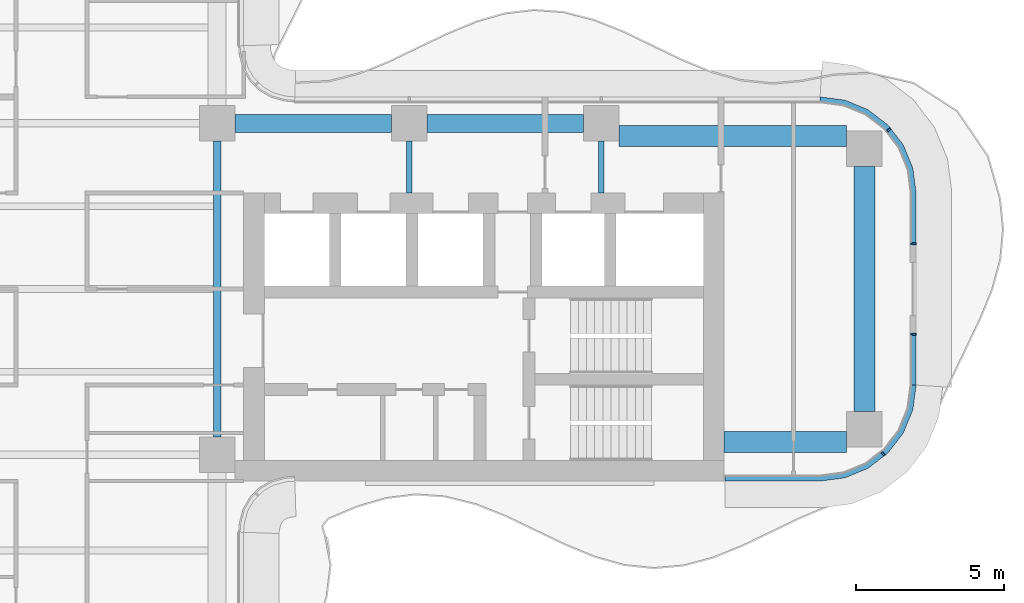
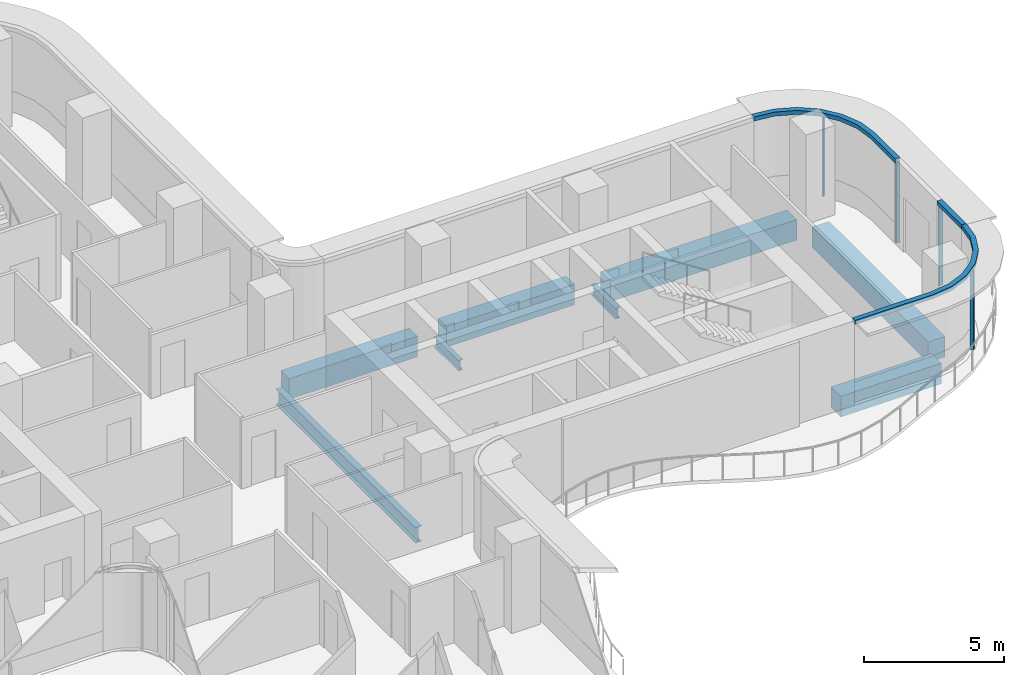
# One storey, part 6 of 17: 8 beams, 7 members, 3 elements without a shape of their own.
"""IFC4 building model written with IfcOpenShell, lengths in metres."""

from ifc_helpers import new_model, si_unit, direction, frame, origin, origin_2d, place, context, subcontext, project, spatial, polyline, rectangle, i_section, outline, extrude, source, transform, mapped, material, layer, layer_set, material_profile, profile_set, type_object, element, aggregate, save


model = new_model("IFC4")

# Units and contexts
model_context = context("Model", 3, precision=1e-05, world=origin(), true_north=direction((0.0, 1.0)))
body_context = subcontext(model_context, "Body", "Model", "MODEL_VIEW")
ifc_project = project(units=[si_unit("LENGTHUNIT", "METRE"), si_unit("AREAUNIT", "SQUARE_METRE"), si_unit("VOLUMEUNIT", "CUBIC_METRE"), si_unit("PLANEANGLEUNIT", "RADIAN"), si_unit("MASSUNIT", "GRAM", prefix="KILO")], contexts=[model_context])

# Site, building, storey
site_placement = place(None, origin())
site = spatial("IfcSite", under=ifc_project, at=site_placement, CompositionType="ELEMENT")
building_placement = place(site_placement, origin())
building = spatial("IfcBuilding", under=site, at=building_placement, Name="Trellis Farm Tower", CompositionType="ELEMENT")
storey_placement = place(building_placement, frame((0.0, 0.0, 181.5)))
storey = spatial("IfcBuildingStorey", under=building, at=storey_placement, Name="L39", CompositionType="ELEMENT", Elevation=181.5)

# Beams
ifc_material_1 = material(Name="Concrete C60/75", Category="concrete")
ifc_material_profile_1 = material_profile(ifc_material_1, rectangle(XDim=0.60009765625, YDim=0.89990234375, at=origin_2d()), Name="RC spandrel beam 600x900 C60/75")
ifc_profile_set_1 = profile_set([ifc_material_profile_1], Name="Concrete C60/75")
beam_type_1 = type_object("IfcBeamType", Name="RC spandrel beam 600x900 C60/75", PredefinedType="SPANDREL", material=ifc_profile_set_1)
shared_shape_1 = source(origin(), body_context, "Body", "SweptSolid", [
    extrude(rectangle(XDim=0.60009765625, YDim=0.89990234375, at=origin_2d()), origin(), (0.0, 0.0, 1.0), 5.300048828125),
])
for number, where, z_axis, x_axis, name in (
    (1, (6.199951171875, 5.60009765625, -0.64990234375), (1.0, 0.0, 0.0), (0.0, 1.0, 0.0), "Girder"),
    (2, (12.699951171875, 5.60009765625, -0.64990234375), (1.0, 0.0, 0.0), (0.0, 1.0, 0.0), "Girder"),
):
    element("IfcBeam", number, at=place(storey_placement, frame(where, z_axis=z_axis, x_axis=x_axis)), inside=storey, type_object=beam_type_1, Name=name, PredefinedType="SPANDREL", context=body_context, shape_type="MappedRepresentation", body=[
        mapped(shared_shape_1, transform((0.0, 0.0, 0.0))),
    ])
ifc_material_2 = material(Name="Steel S355", Category="steel")
ifc_material_profile_2 = material_profile(ifc_material_2, i_section(OverallWidth=0.253662109375, OverallDepth=0.68359375, WebThickness=0.012451171875, FlangeThickness=0.021728515625, FilletRadius=0.01513671875, at=origin_2d()), Name="UB 686x254x140")
ifc_profile_set_2 = profile_set([ifc_material_profile_2], Name="Steel S355")
beam_type_2 = type_object("IfcBeamType", Name="UB 686x254x140", PredefinedType="BEAM", material=ifc_profile_set_2)
shared_shape_2 = source(origin(), body_context, "Body", "SweptSolid", [
    extrude(i_section(OverallWidth=0.253662109375, OverallDepth=0.68359375, WebThickness=0.012451171875, FlangeThickness=0.021728515625, FilletRadius=0.01513671875, at=origin_2d()), origin(), (0.0, 0.0, 1.0), 10.0),
])
beam_1_placement = place(storey_placement, frame((5.60009765625, -5.0, -0.541748046875), z_axis=(0.0, 1.0, 0.0), x_axis=(-1.0, 0.0, 0.0)))
element("IfcBeam", 3, at=beam_1_placement, inside=storey, type_object=beam_type_2, Name="Girder", PredefinedType="BEAM", context=body_context, shape_type="MappedRepresentation", body=[
    mapped(shared_shape_2, transform((0.0, 0.0, 0.0))),
])
ifc_material_profile_3 = material_profile(ifc_material_1, rectangle(XDim=0.699951171875, YDim=0.89990234375, at=origin_2d()), Name="RC spandrel beam 700x900 C60/75")
ifc_profile_set_3 = profile_set([ifc_material_profile_3], Name="Concrete C60/75")
beam_type_3 = type_object("IfcBeamType", Name="RC spandrel beam 700x900 C60/75", PredefinedType="SPANDREL", material=ifc_profile_set_3)
shared_shape_3 = source(origin(), body_context, "Body", "SweptSolid", [
    extrude(rectangle(XDim=0.699951171875, YDim=0.89990234375, at=origin_2d()), origin(), (0.0, 0.0, 1.0), 8.2998046875),
])
beam_2_placement = place(storey_placement, frame((27.5, -4.14990234375, -0.64990234375), z_axis=(0.0, 1.0, 0.0), x_axis=(-1.0, 0.0, 0.0)))
element("IfcBeam", 4, at=beam_2_placement, inside=storey, type_object=beam_type_3, Name="Girder", PredefinedType="SPANDREL", context=body_context, shape_type="MappedRepresentation", body=[
    mapped(shared_shape_3, transform((0.0, 0.0, 0.0))),
])
ifc_material_profile_4 = material_profile(ifc_material_2, i_section(OverallWidth=0.1904296875, OverallDepth=0.45703125, WebThickness=0.009033203125, FlangeThickness=0.014404296875, FilletRadius=0.01025390625, at=origin_2d()), Name="UB 457x191x74")
ifc_profile_set_4 = profile_set([ifc_material_profile_4], Name="Steel S355")
beam_type_4 = type_object("IfcBeamType", Name="UB 457x191x74", PredefinedType="BEAM", material=ifc_profile_set_4)
shared_shape_4 = source(origin(), body_context, "Body", "SweptSolid", [
    extrude(i_section(OverallWidth=0.1904296875, OverallDepth=0.45703125, WebThickness=0.009033203125, FlangeThickness=0.014404296875, FilletRadius=0.01025390625, at=origin_2d()), origin(), (0.0, 0.0, 1.0), 1.75),
])
for number, where, z_axis, x_axis, name in (
    (5, (12.10009765625, 3.25, -0.428466796875), (0.0, 1.0, 0.0), (-1.0, 0.0, 0.0), "Girder"),
    (6, (18.60009765625, 3.25, -0.428466796875), (0.0, 1.0, 0.0), (-1.0, 0.0, 0.0), "Girder"),
):
    element("IfcBeam", number, at=place(storey_placement, frame(where, z_axis=z_axis, x_axis=x_axis)), inside=storey, type_object=beam_type_4, Name=name, PredefinedType="BEAM", context=body_context, shape_type="MappedRepresentation", body=[
        mapped(shared_shape_4, transform((0.0, 0.0, 0.0))),
    ])
shared_shape_5 = source(origin(), body_context, "Body", "SweptSolid", [
    extrude(rectangle(XDim=0.699951171875, YDim=0.89990234375, at=origin_2d()), origin(), (0.0, 0.0, 1.0), 7.699951171875),
])
beam_3_placement = place(storey_placement, frame((19.199951171875, 5.175048828125, -0.64990234375), z_axis=(1.0, 0.0, 0.0), x_axis=(0.0, 1.0, 0.0)))
element("IfcBeam", 7, at=beam_3_placement, inside=storey, type_object=beam_type_3, Name="Girder", PredefinedType="SPANDREL", context=body_context, shape_type="MappedRepresentation", body=[
    mapped(shared_shape_5, transform((0.0, 0.0, 0.0))),
])
shared_shape_6 = source(origin(), body_context, "Body", "SweptSolid", [
    extrude(rectangle(XDim=0.699951171875, YDim=0.89990234375, at=origin_2d()), origin(), (0.0, 0.0, 1.0), 4.14990234375),
])
beam_4_placement = place(storey_placement, frame((22.75, -5.175048828125, -0.64990234375), z_axis=(1.0, 0.0, 0.0), x_axis=(0.0, 1.0, 0.0)))
element("IfcBeam", 8, at=beam_4_placement, inside=storey, type_object=beam_type_3, Name="Girder", PredefinedType="SPANDREL", context=body_context, shape_type="MappedRepresentation", body=[
    mapped(shared_shape_6, transform((0.0, 0.0, 0.0))),
])

# Curtain wall, members
ifc_material_3 = material(Name="Aluminium and glass curtain wall", Category="aluminium")
ifc_layer_1 = layer(ifc_material_3, 0.18994140625)
ifc_layer_set_1 = layer_set([ifc_layer_1], Name="RIBBON CURTAIN WALL CW1")
curtain_wall_type = type_object("IfcCurtainWallType", Name="RIBBON CURTAIN WALL CW1", PredefinedType="NOTDEFINED", material=ifc_layer_set_1)
placement_1 = place(storey_placement, origin())
curtain_wall_1 = element("IfcCurtainWall", 9, at=placement_1, inside=storey, type_object=curtain_wall_type, Name="CW1 005", PredefinedType="NOTDEFINED")
ifc_material_4 = material(Name="Aluminium extrusion 6063-T6", Category="aluminium")
ifc_layer_2 = layer(ifc_material_4, 0.199951171875)
ifc_layer_set_2 = layer_set([ifc_layer_2], Name="Aluminium extrusion 6063-T6")
member_type_1 = type_object("IfcMemberType", Name="CW1 TRANSOM 200x180", PredefinedType="USERDEFINED", material=ifc_layer_set_2)
shared_shape_7 = source(origin(), body_context, "Body", "SweptSolid", [
    extrude(outline(polyline([(22.780029296875, -6.5), (26.0, -6.5), (26.841064453125, -6.38916015625), (27.625, -6.064697265625), (28.298095703125, -5.548095703125), (28.814697265625, -4.875), (29.13916015625, -4.091064453125), (29.25, -3.25), (29.050048828125, -3.23681640625), (28.9443359375, -4.0390625), (28.639892578125, -4.774169921875), (28.155517578125, -5.405517578125), (27.524169921875, -5.889892578125), (26.7890625, -6.1943359375), (25.98681640625, -6.300048828125), (22.780029296875, -6.300048828125), (22.780029296875, -6.5)])), origin(), (0.0, 0.0, 1.0), 0.179931640625),
])
placement_2 = place(storey_placement, frame((0.0, 0.0, 3.52001953125)))
member_1 = element("IfcMember", 10, at=placement_2, type_object=member_type_1, Name="TR1 005", ObjectType="TRANSOM", PredefinedType="USERDEFINED", context=body_context, shape_type="MappedRepresentation", body=[
    mapped(shared_shape_7, transform((0.0, 0.0, 0.0))),
])
ifc_material_profile_5 = material_profile(ifc_material_4, rectangle(XDim=0.06005859375, YDim=0.14990234375, at=origin_2d()), Name="MULLION 60x150")
ifc_profile_set_5 = profile_set([ifc_material_profile_5], Name="Aluminium extrusion 6063-T6")
member_type_2 = type_object("IfcMemberType", Name="CW1 MULLION 60x150", PredefinedType="MULLION", material=ifc_profile_set_5)
shared_shape_8 = source(origin(), body_context, "Body", "SweptSolid", [
    extrude(rectangle(XDim=0.06005859375, YDim=0.14990234375, at=origin_2d()), origin(), (0.0, 0.0, 1.0), 3.52001953125),
])
member_2_placement = place(storey_placement, frame((28.135498046875, -5.578369140625, 0.0), z_axis=(0.0, 0.0, 1.0), x_axis=(0.793353340291, 0.608761429009, 0.0)))
member_2 = element("IfcMember", 11, at=member_2_placement, type_object=member_type_2, Name="MU1 005-01", PredefinedType="MULLION", context=body_context, shape_type="MappedRepresentation", body=[
    mapped(shared_shape_8, transform((0.0, 0.0, 0.0))),
])
aggregate(curtain_wall_1, [member_2, member_1])

# Curtain wall, member
curtain_wall_2 = element("IfcCurtainWall", 12, at=placement_1, inside=storey, type_object=curtain_wall_type, Name="CW1 006", PredefinedType="NOTDEFINED")
member_3_placement = place(storey_placement, frame((29.175048828125, -1.530029296875, 0.0), z_axis=(0.0, 0.0, 1.0), x_axis=(0.0, 1.0, 0.0)))
member_3 = element("IfcMember", 13, at=member_3_placement, type_object=member_type_2, Name="MU1 006-01", PredefinedType="MULLION", context=body_context, shape_type="MappedRepresentation", body=[
    mapped(shared_shape_8, transform((0.0, 0.0, 0.0))),
])

# Curtain wall, members
curtain_wall_3 = element("IfcCurtainWall", 14, at=placement_1, inside=storey, type_object=curtain_wall_type, Name="CW1 007", PredefinedType="NOTDEFINED")
member_4_placement = place(storey_placement, frame((29.175048828125, 1.530029296875, 0.0), z_axis=(0.0, 0.0, 1.0), x_axis=(0.0, 1.0, 0.0)))
member_4 = element("IfcMember", 15, at=member_4_placement, type_object=member_type_2, Name="MU1 007-01", PredefinedType="MULLION", context=body_context, shape_type="MappedRepresentation", body=[
    mapped(shared_shape_8, transform((0.0, 0.0, 0.0))),
])
member_5_placement = place(storey_placement, frame((28.328369140625, 5.385498046875, 0.0), z_axis=(0.0, 0.0, 1.0), x_axis=(-0.608761429009, 0.793353340291, 0.0)))
member_5 = element("IfcMember", 16, at=member_5_placement, type_object=member_type_2, Name="MU1 007-02", PredefinedType="MULLION", context=body_context, shape_type="MappedRepresentation", body=[
    mapped(shared_shape_8, transform((0.0, 0.0, 0.0))),
])

# Member
shared_shape_9 = source(origin(), body_context, "Body", "SweptSolid", [
    extrude(outline(polyline([(29.25, -3.25), (29.25, -1.5), (29.050048828125, -1.5), (29.050048828125, -3.23681640625), (29.25, -3.25)])), origin(), (0.0, 0.0, 1.0), 0.179931640625),
])
member_6 = element("IfcMember", 17, at=placement_2, type_object=member_type_1, Name="TR1 006", ObjectType="TRANSOM", PredefinedType="USERDEFINED", context=body_context, shape_type="MappedRepresentation", body=[
    mapped(shared_shape_9, transform((0.0, 0.0, 0.0))),
])

aggregate(curtain_wall_2, [member_3, member_6])

shared_shape_10 = source(origin(), body_context, "Body", "SweptSolid", [
    extrude(outline(polyline([(29.25, 1.5), (29.25, 3.25), (29.13916015625, 4.091064453125), (28.814697265625, 4.875), (28.298095703125, 5.548095703125), (27.625, 6.064697265625), (26.841064453125, 6.38916015625), (26.0, 6.5), (25.98681640625, 6.300048828125), (26.7890625, 6.1943359375), (27.524169921875, 5.889892578125), (28.155517578125, 5.405517578125), (28.639892578125, 4.774169921875), (28.9443359375, 4.0390625), (29.050048828125, 3.23681640625), (29.050048828125, 1.5), (29.25, 1.5)])), origin(), (0.0, 0.0, 1.0), 0.179931640625),
])
member_7 = element("IfcMember", 18, at=placement_2, type_object=member_type_1, Name="TR1 007", ObjectType="TRANSOM", PredefinedType="USERDEFINED", context=body_context, shape_type="MappedRepresentation", body=[
    mapped(shared_shape_10, transform((0.0, 0.0, 0.0))),
])

aggregate(curtain_wall_3, [member_4, member_5, member_7])

save(model, "model.ifc")
